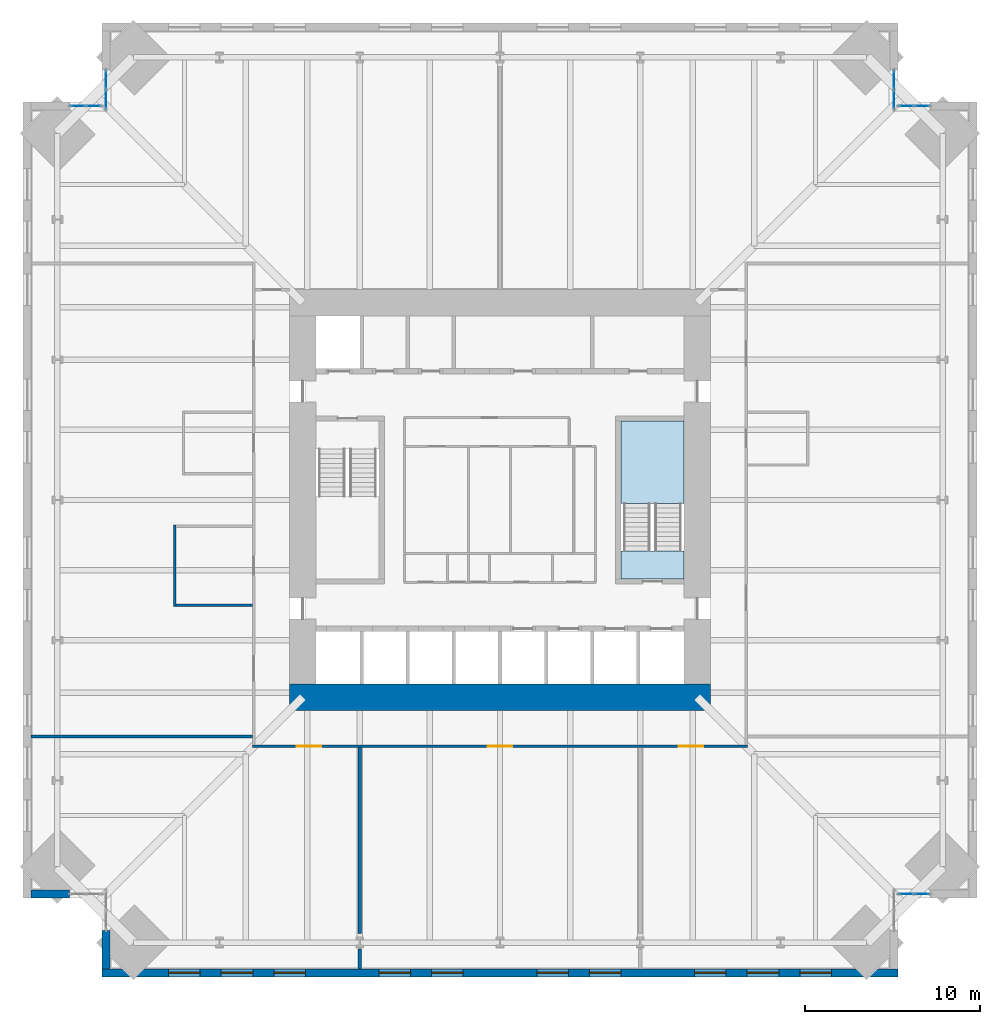
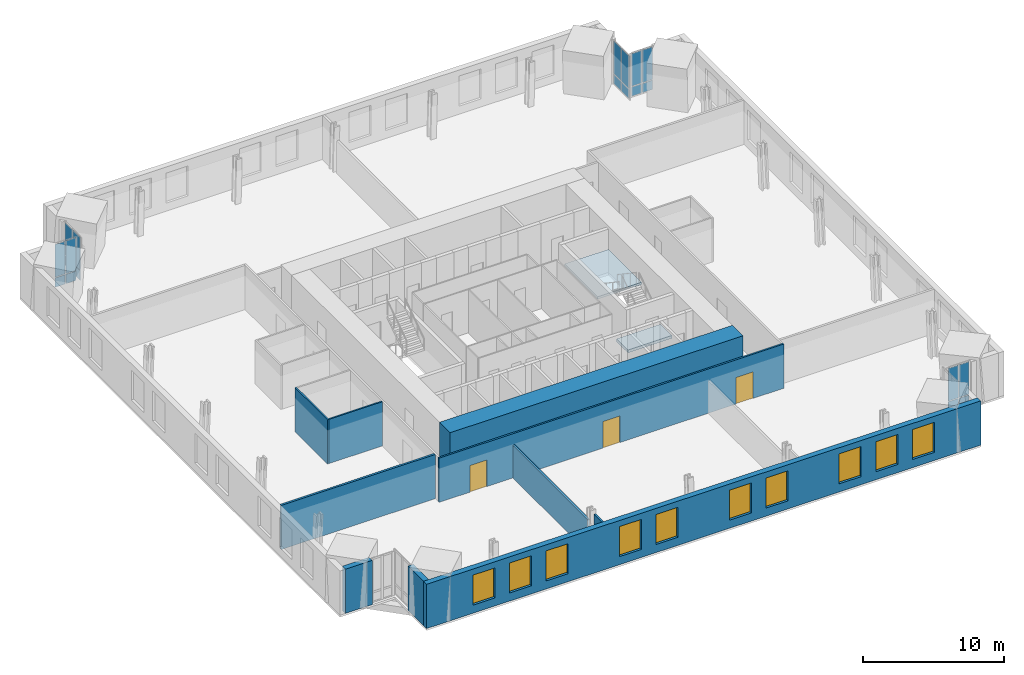
# One storey, part 11 of 16: 20 plates, 10 walls, 10 windows, 3 doors, 2 slabs, 13 openings, 6 elements without a shape of their own.
"""IFC4 building model written with IfcOpenShell, lengths in metres."""

from ifc_helpers import new_model, si_unit, direction, frame, frame_2d, origin, origin_2d, place, context, subcontext, project, spatial, polyline, rectangle, outline, extrude, material, layer, layer_set, type_object, element, fill, aggregate, save


model = new_model("IFC4")

# Units and contexts
model_context = context("Model", 3, precision=1e-05, world=origin(), true_north=direction((0.0, 1.0)))
body_context = subcontext(model_context, "Body", "Model", "MODEL_VIEW")
ifc_project = project(units=[si_unit("LENGTHUNIT", "METRE"), si_unit("AREAUNIT", "SQUARE_METRE"), si_unit("VOLUMEUNIT", "CUBIC_METRE"), si_unit("PLANEANGLEUNIT", "RADIAN"), si_unit("MASSUNIT", "GRAM", prefix="KILO")], contexts=[model_context])

# Site, building, storey
site_placement = place(None, origin())
site = spatial("IfcSite", under=ifc_project, at=site_placement, CompositionType="ELEMENT")
building_placement = place(site_placement, origin())
building = spatial("IfcBuilding", under=site, at=building_placement, Name="Peilmerk Tower", CompositionType="ELEMENT")
storey_placement = place(building_placement, frame((0.0, 0.0, 139.800048828125)))
storey = spatial("IfcBuildingStorey", under=building, at=storey_placement, Name="L28", CompositionType="ELEMENT", Elevation=139.800048828125)

# Curtain wall, plates
ifc_material_1 = material(Name="Aluminium stick curtain wall", Category="aluminium")
curtain_wall_type = type_object("IfcCurtainWallType", Name="CW3 stick curtain wall, 2250 module", PredefinedType="NOTDEFINED", material=ifc_material_1)
curtain_wall_1_placement = place(storey_placement, origin())
curtain_wall_1 = element("IfcCurtainWall", 1, at=curtain_wall_1_placement, inside=storey, type_object=curtain_wall_type, Name="Curtain wall CW3 NEA L28", PredefinedType="NOTDEFINED")
ifc_material_2 = material(Name="Clear insulated glazing unit", Category="glass")
ifc_layer_1 = layer(ifc_material_2, 0.028076171875)
ifc_layer_set_1 = layer_set([ifc_layer_1], Name="Clear insulated glazing unit")
plate_type = type_object("IfcPlateType", Name="CW3-P 28 glazed panel", PredefinedType="CURTAIN_PANEL", material=ifc_layer_set_1)
plate_1_placement = place(storey_placement, frame((22.47509765625, 22.83837890625, 0.06494140625), z_axis=(0.0, 0.0, 1.0), x_axis=(0.0, 1.0, 0.0)))
plate_1 = element("IfcPlate", 2, at=plate_1_placement, type_object=plate_type, Name="CW3 panel 1.1", PredefinedType="CURTAIN_PANEL", context=body_context, shape_type="SweptSolid", body=[
    extrude(rectangle(XDim=1.046875, YDim=0.028076171875, at=origin_2d()), origin(), (0.0, 0.0, 1.0), 0.802490234375),
])
plate_2_placement = place(storey_placement, frame((22.47509765625, 22.83837890625, 0.932373046875), z_axis=(0.0, 0.0, 1.0), x_axis=(0.0, 1.0, 0.0)))
plate_2 = element("IfcPlate", 3, at=plate_2_placement, type_object=plate_type, Name="CW3 panel 1.2", PredefinedType="CURTAIN_PANEL", context=body_context, shape_type="SweptSolid", body=[
    extrude(rectangle(XDim=1.046875, YDim=0.028076171875, at=origin_2d()), origin(), (0.0, 0.0, 1.0), 2.83251953125),
])
plate_3_placement = place(storey_placement, frame((22.47509765625, 23.9501953125, 0.06494140625), z_axis=(0.0, 0.0, 1.0), x_axis=(0.0, 1.0, 0.0)))
plate_3 = element("IfcPlate", 4, at=plate_3_placement, type_object=plate_type, Name="CW3 panel 2.1", PredefinedType="CURTAIN_PANEL", context=body_context, shape_type="SweptSolid", body=[
    extrude(rectangle(XDim=1.046875, YDim=0.028076171875, at=origin_2d()), origin(), (0.0, 0.0, 1.0), 0.802490234375),
])
plate_4_placement = place(storey_placement, frame((22.47509765625, 23.9501953125, 0.932373046875), z_axis=(0.0, 0.0, 1.0), x_axis=(0.0, 1.0, 0.0)))
plate_4 = element("IfcPlate", 5, at=plate_4_placement, type_object=plate_type, Name="CW3 panel 2.2", PredefinedType="CURTAIN_PANEL", context=body_context, shape_type="SweptSolid", body=[
    extrude(rectangle(XDim=1.046875, YDim=0.028076171875, at=origin_2d()), origin(), (0.0, 0.0, 1.0), 2.83251953125),
])
aggregate(curtain_wall_1, [plate_1, plate_2, plate_3, plate_4])

curtain_wall_2_placement = place(storey_placement, origin())
curtain_wall_2 = element("IfcCurtainWall", 6, at=curtain_wall_2_placement, inside=storey, type_object=curtain_wall_type, Name="Curtain wall CW3 NEB L28", PredefinedType="NOTDEFINED")
plate_5_placement = place(storey_placement, frame((23.176025390625, 22.47509765625, 0.06494140625), z_axis=(0.0, 0.0, 1.0), x_axis=(1.0, 0.0, 0.0)))
plate_5 = element("IfcPlate", 7, at=plate_5_placement, type_object=plate_type, Name="CW3 panel 1.1", PredefinedType="CURTAIN_PANEL", context=body_context, shape_type="SweptSolid", body=[
    extrude(rectangle(XDim=0.82177734375, YDim=0.028076171875, at=origin_2d()), origin(), (0.0, 0.0, 1.0), 0.802490234375),
])
plate_6_placement = place(storey_placement, frame((23.176025390625, 22.47509765625, 0.932373046875), z_axis=(0.0, 0.0, 1.0), x_axis=(1.0, 0.0, 0.0)))
plate_6 = element("IfcPlate", 8, at=plate_6_placement, type_object=plate_type, Name="CW3 panel 1.2", PredefinedType="CURTAIN_PANEL", context=body_context, shape_type="SweptSolid", body=[
    extrude(rectangle(XDim=0.82177734375, YDim=0.028076171875, at=origin_2d()), origin(), (0.0, 0.0, 1.0), 2.83251953125),
])
plate_7_placement = place(storey_placement, frame((24.062744140625, 22.47509765625, 0.06494140625), z_axis=(0.0, 0.0, 1.0), x_axis=(1.0, 0.0, 0.0)))
plate_7 = element("IfcPlate", 9, at=plate_7_placement, type_object=plate_type, Name="CW3 panel 2.1", PredefinedType="CURTAIN_PANEL", context=body_context, shape_type="SweptSolid", body=[
    extrude(rectangle(XDim=0.82177734375, YDim=0.028076171875, at=origin_2d()), origin(), (0.0, 0.0, 1.0), 0.802490234375),
])
plate_8_placement = place(storey_placement, frame((24.062744140625, 22.47509765625, 0.932373046875), z_axis=(0.0, 0.0, 1.0), x_axis=(1.0, 0.0, 0.0)))
plate_8 = element("IfcPlate", 10, at=plate_8_placement, type_object=plate_type, Name="CW3 panel 2.2", PredefinedType="CURTAIN_PANEL", context=body_context, shape_type="SweptSolid", body=[
    extrude(rectangle(XDim=0.82177734375, YDim=0.028076171875, at=origin_2d()), origin(), (0.0, 0.0, 1.0), 2.83251953125),
])
aggregate(curtain_wall_2, [plate_5, plate_6, plate_7, plate_8])

curtain_wall_3_placement = place(storey_placement, origin())
curtain_wall_3 = element("IfcCurtainWall", 11, at=curtain_wall_3_placement, inside=storey, type_object=curtain_wall_type, Name="Curtain wall CW3 SEB L28", PredefinedType="NOTDEFINED")
plate_9_placement = place(storey_placement, frame((23.176025390625, -22.47509765625, 0.06494140625), z_axis=(0.0, 0.0, 1.0), x_axis=(1.0, 0.0, 0.0)))
plate_9 = element("IfcPlate", 12, at=plate_9_placement, type_object=plate_type, Name="CW3 panel 1.1", PredefinedType="CURTAIN_PANEL", context=body_context, shape_type="SweptSolid", body=[
    extrude(rectangle(XDim=0.82177734375, YDim=0.028076171875, at=origin_2d()), origin(), (0.0, 0.0, 1.0), 0.802490234375),
])
plate_10_placement = place(storey_placement, frame((23.176025390625, -22.47509765625, 0.932373046875), z_axis=(0.0, 0.0, 1.0), x_axis=(1.0, 0.0, 0.0)))
plate_10 = element("IfcPlate", 13, at=plate_10_placement, type_object=plate_type, Name="CW3 panel 1.2", PredefinedType="CURTAIN_PANEL", context=body_context, shape_type="SweptSolid", body=[
    extrude(rectangle(XDim=0.82177734375, YDim=0.028076171875, at=origin_2d()), origin(), (0.0, 0.0, 1.0), 2.83251953125),
])
plate_11_placement = place(storey_placement, frame((24.062744140625, -22.47509765625, 0.06494140625), z_axis=(0.0, 0.0, 1.0), x_axis=(1.0, 0.0, 0.0)))
plate_11 = element("IfcPlate", 14, at=plate_11_placement, type_object=plate_type, Name="CW3 panel 2.1", PredefinedType="CURTAIN_PANEL", context=body_context, shape_type="SweptSolid", body=[
    extrude(rectangle(XDim=0.82177734375, YDim=0.028076171875, at=origin_2d()), origin(), (0.0, 0.0, 1.0), 0.802490234375),
])
plate_12_placement = place(storey_placement, frame((24.062744140625, -22.47509765625, 0.932373046875), z_axis=(0.0, 0.0, 1.0), x_axis=(1.0, 0.0, 0.0)))
plate_12 = element("IfcPlate", 15, at=plate_12_placement, type_object=plate_type, Name="CW3 panel 2.2", PredefinedType="CURTAIN_PANEL", context=body_context, shape_type="SweptSolid", body=[
    extrude(rectangle(XDim=0.82177734375, YDim=0.028076171875, at=origin_2d()), origin(), (0.0, 0.0, 1.0), 2.83251953125),
])
aggregate(curtain_wall_3, [plate_9, plate_10, plate_11, plate_12])

curtain_wall_4_placement = place(storey_placement, origin())
curtain_wall_4 = element("IfcCurtainWall", 16, at=curtain_wall_4_placement, inside=storey, type_object=curtain_wall_type, Name="Curtain wall CW3 NWA L28", PredefinedType="NOTDEFINED")
plate_13_placement = place(storey_placement, frame((-22.47509765625, 22.83837890625, 0.06494140625), z_axis=(0.0, 0.0, 1.0), x_axis=(0.0, 1.0, 0.0)))
plate_13 = element("IfcPlate", 17, at=plate_13_placement, type_object=plate_type, Name="CW3 panel 1.1", PredefinedType="CURTAIN_PANEL", context=body_context, shape_type="SweptSolid", body=[
    extrude(rectangle(XDim=1.046875, YDim=0.028076171875, at=origin_2d()), origin(), (0.0, 0.0, 1.0), 0.802490234375),
])
plate_14_placement = place(storey_placement, frame((-22.47509765625, 22.83837890625, 0.932373046875), z_axis=(0.0, 0.0, 1.0), x_axis=(0.0, 1.0, 0.0)))
plate_14 = element("IfcPlate", 18, at=plate_14_placement, type_object=plate_type, Name="CW3 panel 1.2", PredefinedType="CURTAIN_PANEL", context=body_context, shape_type="SweptSolid", body=[
    extrude(rectangle(XDim=1.046875, YDim=0.028076171875, at=origin_2d()), origin(), (0.0, 0.0, 1.0), 2.83251953125),
])
plate_15_placement = place(storey_placement, frame((-22.47509765625, 23.9501953125, 0.06494140625), z_axis=(0.0, 0.0, 1.0), x_axis=(0.0, 1.0, 0.0)))
plate_15 = element("IfcPlate", 19, at=plate_15_placement, type_object=plate_type, Name="CW3 panel 2.1", PredefinedType="CURTAIN_PANEL", context=body_context, shape_type="SweptSolid", body=[
    extrude(rectangle(XDim=1.046875, YDim=0.028076171875, at=origin_2d()), origin(), (0.0, 0.0, 1.0), 0.802490234375),
])
plate_16_placement = place(storey_placement, frame((-22.47509765625, 23.9501953125, 0.932373046875), z_axis=(0.0, 0.0, 1.0), x_axis=(0.0, 1.0, 0.0)))
plate_16 = element("IfcPlate", 20, at=plate_16_placement, type_object=plate_type, Name="CW3 panel 2.2", PredefinedType="CURTAIN_PANEL", context=body_context, shape_type="SweptSolid", body=[
    extrude(rectangle(XDim=1.046875, YDim=0.028076171875, at=origin_2d()), origin(), (0.0, 0.0, 1.0), 2.83251953125),
])
aggregate(curtain_wall_4, [plate_13, plate_14, plate_15, plate_16])

curtain_wall_5_placement = place(storey_placement, origin())
curtain_wall_5 = element("IfcCurtainWall", 21, at=curtain_wall_5_placement, inside=storey, type_object=curtain_wall_type, Name="Curtain wall CW3 NWB L28", PredefinedType="NOTDEFINED")
plate_17_placement = place(storey_placement, frame((-23.176025390625, 22.47509765625, 0.06494140625), z_axis=(0.0, 0.0, 1.0), x_axis=(-1.0, 0.0, 0.0)))
plate_17 = element("IfcPlate", 22, at=plate_17_placement, type_object=plate_type, Name="CW3 panel 1.1", PredefinedType="CURTAIN_PANEL", context=body_context, shape_type="SweptSolid", body=[
    extrude(rectangle(XDim=0.82177734375, YDim=0.028076171875, at=origin_2d()), origin(), (0.0, 0.0, 1.0), 0.802490234375),
])
plate_18_placement = place(storey_placement, frame((-23.176025390625, 22.47509765625, 0.932373046875), z_axis=(0.0, 0.0, 1.0), x_axis=(-1.0, 0.0, 0.0)))
plate_18 = element("IfcPlate", 23, at=plate_18_placement, type_object=plate_type, Name="CW3 panel 1.2", PredefinedType="CURTAIN_PANEL", context=body_context, shape_type="SweptSolid", body=[
    extrude(rectangle(XDim=0.82177734375, YDim=0.028076171875, at=origin_2d()), origin(), (0.0, 0.0, 1.0), 2.83251953125),
])
plate_19_placement = place(storey_placement, frame((-24.062744140625, 22.47509765625, 0.06494140625), z_axis=(0.0, 0.0, 1.0), x_axis=(-1.0, 0.0, 0.0)))
plate_19 = element("IfcPlate", 24, at=plate_19_placement, type_object=plate_type, Name="CW3 panel 2.1", PredefinedType="CURTAIN_PANEL", context=body_context, shape_type="SweptSolid", body=[
    extrude(rectangle(XDim=0.82177734375, YDim=0.028076171875, at=origin_2d()), origin(), (0.0, 0.0, 1.0), 0.802490234375),
])
plate_20_placement = place(storey_placement, frame((-24.062744140625, 22.47509765625, 0.932373046875), z_axis=(0.0, 0.0, 1.0), x_axis=(-1.0, 0.0, 0.0)))
plate_20 = element("IfcPlate", 25, at=plate_20_placement, type_object=plate_type, Name="CW3 panel 2.2", PredefinedType="CURTAIN_PANEL", context=body_context, shape_type="SweptSolid", body=[
    extrude(rectangle(XDim=0.82177734375, YDim=0.028076171875, at=origin_2d()), origin(), (0.0, 0.0, 1.0), 2.83251953125),
])
aggregate(curtain_wall_5, [plate_17, plate_18, plate_19, plate_20])

# Stair, slabs
ifc_material_3 = material(Name="Precast concrete C45/55", Category="concrete")
stair_type = type_object("IfcStairType", Name="ST2 22 risers of 181.8", PredefinedType="HALF_TURN_STAIR", material=ifc_material_3)
stair_placement = place(storey_placement, origin())
stair = element("IfcStair", 26, at=stair_placement, inside=storey, type_object=stair_type, Name="Stair 2 L28 to L29", PredefinedType="HALF_TURN_STAIR")
ifc_material_4 = material(Name="Concrete C35/45", Category="concrete")
ifc_layer_2 = layer(ifc_material_4, 0.199951171875)
ifc_layer_set_2 = layer_set([ifc_layer_2], Name="Concrete C35/45")
slab_type_1 = type_object("IfcSlabType", Name="SL1 200 concrete stair landing", PredefinedType="LANDING", material=ifc_layer_set_2)
slab_1_placement = place(storey_placement, frame((0.0, 0.0, 1.800048828125)))
slab_1 = element("IfcSlab", 27, at=slab_1_placement, type_object=slab_type_1, Name="ST2 landing 1", PredefinedType="LANDING", context=body_context, shape_type="SweptSolid", body=[
    extrude(outline(polyline([(6.89990234375, -0.199951171875), (10.5, -0.199951171875), (10.5, 4.5), (6.89990234375, 4.5), (6.89990234375, -0.199951171875)])), origin(), (0.0, 0.0, 1.0), 0.199951171875),
])
ifc_layer_3 = layer(ifc_material_4, 0.25)
ifc_layer_set_3 = layer_set([ifc_layer_3], Name="Concrete C35/45")
slab_type_2 = type_object("IfcSlabType", Name="SL2 250 concrete floor landing", PredefinedType="LANDING", material=ifc_layer_set_3)
slab_2_placement = place(storey_placement, frame((0.0, 0.0, -0.25)))
slab_2 = element("IfcSlab", 28, at=slab_2_placement, type_object=slab_type_2, Name="ST2 floor landing", PredefinedType="LANDING", context=body_context, shape_type="SweptSolid", body=[
    extrude(outline(polyline([(6.89990234375, -4.5), (10.5, -4.5), (10.5, -2.89990234375), (6.89990234375, -2.89990234375), (6.89990234375, -4.5)])), origin(), (0.0, 0.0, 1.0), 0.25),
])
aggregate(stair, [slab_1, slab_2])

# Wall, openings, windows
ifc_material_5 = material(Name="Precast concrete C45/55, board-marked finish", Category="concrete")
ifc_layer_4 = layer(ifc_material_5, 0.449951171875)
ifc_layer_set_4 = layer_set([ifc_layer_4], Name="Precast concrete C45/55, board-marked finish")
wall_type_1 = type_object("IfcWallType", Name="EW1 450 precast concrete facade wall, board-marked", PredefinedType="SOLIDWALL", material=ifc_layer_set_4)
wall_1_placement = place(storey_placement, frame((-22.699951171875, -26.97509765625, 0.0), z_axis=(0.0, 0.0, 1.0), x_axis=(1.0, 0.0, 0.0)))
wall_1 = element("IfcWall", 29, at=wall_1_placement, inside=storey, type_object=wall_type_1, Name="Facade wall S L28", PredefinedType="SOLIDWALL", context=body_context, shape_type="SweptSolid", body=[
    extrude(rectangle(XDim=45.39990234375, YDim=0.449951171875, at=frame_2d((22.699951171875, 0.0))), origin(), (0.0, 0.0, 1.0), 3.829833984375),
])
opening_1_placement = place(wall_1_placement, frame((3.800048828125, 0.0, 0.699951171875)))
opening_1 = element("IfcOpeningElement", 30, at=opening_1_placement, cuts=wall_1, Name="Opening W1", PredefinedType="OPENING", context=body_context, shape_type="SweptSolid", body=[
    extrude(rectangle(XDim=1.800048828125, YDim=2.60009765625, at=frame_2d((0.89990234375, 1.300048828125))), frame((0.0, 0.23486328125, 0.0), z_axis=(0.0, -1.0, 0.0), x_axis=(1.0, 0.0, 0.0)), (0.0, 0.0, 1.0), 0.469970703125),
])
opening_2_placement = place(wall_1_placement, frame((6.800048828125, 0.0, 0.699951171875)))
opening_2 = element("IfcOpeningElement", 31, at=opening_2_placement, cuts=wall_1, Name="Opening W1", PredefinedType="OPENING", context=body_context, shape_type="SweptSolid", body=[
    extrude(rectangle(XDim=1.800048828125, YDim=2.60009765625, at=frame_2d((0.89990234375, 1.300048828125))), frame((0.0, 0.23486328125, 0.0), z_axis=(0.0, -1.0, 0.0), x_axis=(1.0, 0.0, 0.0)), (0.0, 0.0, 1.0), 0.469970703125),
])
opening_3_placement = place(wall_1_placement, frame((9.800048828125, 0.0, 0.699951171875)))
opening_3 = element("IfcOpeningElement", 32, at=opening_3_placement, cuts=wall_1, Name="Opening W1", PredefinedType="OPENING", context=body_context, shape_type="SweptSolid", body=[
    extrude(rectangle(XDim=1.800048828125, YDim=2.60009765625, at=frame_2d((0.89990234375, 1.300048828125))), frame((0.0, 0.23486328125, 0.0), z_axis=(0.0, -1.0, 0.0), x_axis=(1.0, 0.0, 0.0)), (0.0, 0.0, 1.0), 0.469970703125),
])
opening_4_placement = place(wall_1_placement, frame((15.800048828125, 0.0, 0.699951171875)))
opening_4 = element("IfcOpeningElement", 33, at=opening_4_placement, cuts=wall_1, Name="Opening W1", PredefinedType="OPENING", context=body_context, shape_type="SweptSolid", body=[
    extrude(rectangle(XDim=1.800048828125, YDim=2.60009765625, at=frame_2d((0.89990234375, 1.300048828125))), frame((0.0, 0.23486328125, 0.0), z_axis=(0.0, -1.0, 0.0), x_axis=(1.0, 0.0, 0.0)), (0.0, 0.0, 1.0), 0.469970703125),
])
opening_5_placement = place(wall_1_placement, frame((18.800048828125, 0.0, 0.699951171875)))
opening_5 = element("IfcOpeningElement", 34, at=opening_5_placement, cuts=wall_1, Name="Opening W1", PredefinedType="OPENING", context=body_context, shape_type="SweptSolid", body=[
    extrude(rectangle(XDim=1.800048828125, YDim=2.60009765625, at=frame_2d((0.89990234375, 1.300048828125))), frame((0.0, 0.23486328125, 0.0), z_axis=(0.0, -1.0, 0.0), x_axis=(1.0, 0.0, 0.0)), (0.0, 0.0, 1.0), 0.469970703125),
])
opening_6_placement = place(wall_1_placement, frame((24.800048828125, 0.0, 0.699951171875)))
opening_6 = element("IfcOpeningElement", 35, at=opening_6_placement, cuts=wall_1, Name="Opening W1", PredefinedType="OPENING", context=body_context, shape_type="SweptSolid", body=[
    extrude(rectangle(XDim=1.800048828125, YDim=2.60009765625, at=frame_2d((0.89990234375, 1.300048828125))), frame((0.0, 0.23486328125, 0.0), z_axis=(0.0, -1.0, 0.0), x_axis=(1.0, 0.0, 0.0)), (0.0, 0.0, 1.0), 0.469970703125),
])
opening_7_placement = place(wall_1_placement, frame((27.800048828125, 0.0, 0.699951171875)))
opening_7 = element("IfcOpeningElement", 36, at=opening_7_placement, cuts=wall_1, Name="Opening W1", PredefinedType="OPENING", context=body_context, shape_type="SweptSolid", body=[
    extrude(rectangle(XDim=1.800048828125, YDim=2.60009765625, at=frame_2d((0.89990234375, 1.300048828125))), frame((0.0, 0.23486328125, 0.0), z_axis=(0.0, -1.0, 0.0), x_axis=(1.0, 0.0, 0.0)), (0.0, 0.0, 1.0), 0.469970703125),
])
opening_8_placement = place(wall_1_placement, frame((33.800048828125, 0.0, 0.699951171875)))
opening_8 = element("IfcOpeningElement", 37, at=opening_8_placement, cuts=wall_1, Name="Opening W1", PredefinedType="OPENING", context=body_context, shape_type="SweptSolid", body=[
    extrude(rectangle(XDim=1.800048828125, YDim=2.60009765625, at=frame_2d((0.89990234375, 1.300048828125))), frame((0.0, 0.23486328125, 0.0), z_axis=(0.0, -1.0, 0.0), x_axis=(1.0, 0.0, 0.0)), (0.0, 0.0, 1.0), 0.469970703125),
])
opening_9_placement = place(wall_1_placement, frame((36.800048828125, 0.0, 0.699951171875)))
opening_9 = element("IfcOpeningElement", 38, at=opening_9_placement, cuts=wall_1, Name="Opening W1", PredefinedType="OPENING", context=body_context, shape_type="SweptSolid", body=[
    extrude(rectangle(XDim=1.800048828125, YDim=2.60009765625, at=frame_2d((0.89990234375, 1.300048828125))), frame((0.0, 0.23486328125, 0.0), z_axis=(0.0, -1.0, 0.0), x_axis=(1.0, 0.0, 0.0)), (0.0, 0.0, 1.0), 0.469970703125),
])
opening_10_placement = place(wall_1_placement, frame((39.800048828125, 0.0, 0.699951171875)))
opening_10 = element("IfcOpeningElement", 39, at=opening_10_placement, cuts=wall_1, Name="Opening W1", PredefinedType="OPENING", context=body_context, shape_type="SweptSolid", body=[
    extrude(rectangle(XDim=1.800048828125, YDim=2.60009765625, at=frame_2d((0.89990234375, 1.300048828125))), frame((0.0, 0.23486328125, 0.0), z_axis=(0.0, -1.0, 0.0), x_axis=(1.0, 0.0, 0.0)), (0.0, 0.0, 1.0), 0.469970703125),
])
ifc_material_6 = material(Name="Aluminium frame, clear double glazing", Category="aluminium")
window_type = type_object("IfcWindowType", Name="W1 1800x2600 office window", PartitioningType="SINGLE_PANEL", PredefinedType="WINDOW", material=ifc_material_6)
window_1_placement = place(opening_1_placement, origin())
window_1 = element("IfcWindow", 40, at=window_1_placement, inside=storey, type_object=window_type, Name="Window W1 L28", OverallHeight=2.60009765625, OverallWidth=1.800048828125, PartitioningType="SINGLE_PANEL", PredefinedType="WINDOW", context=body_context, shape_type="SweptSolid", body=[
    extrude(rectangle(XDim=1.800048828125, YDim=2.60009765625, at=frame_2d((0.89990234375, 1.300048828125))), frame((0.0, 0.030029296875, 0.0), z_axis=(0.0, -1.0, 0.0), x_axis=(1.0, 0.0, 0.0)), (0.0, 0.0, 1.0), 0.06005859375),
])
fill(opening_1, window_1)
window_2_placement = place(opening_2_placement, origin())
window_2 = element("IfcWindow", 41, at=window_2_placement, inside=storey, type_object=window_type, Name="Window W1 L28", OverallHeight=2.60009765625, OverallWidth=1.800048828125, PartitioningType="SINGLE_PANEL", PredefinedType="WINDOW", context=body_context, shape_type="SweptSolid", body=[
    extrude(rectangle(XDim=1.800048828125, YDim=2.60009765625, at=frame_2d((0.89990234375, 1.300048828125))), frame((0.0, 0.030029296875, 0.0), z_axis=(0.0, -1.0, 0.0), x_axis=(1.0, 0.0, 0.0)), (0.0, 0.0, 1.0), 0.06005859375),
])
fill(opening_2, window_2)
window_3_placement = place(opening_3_placement, origin())
window_3 = element("IfcWindow", 42, at=window_3_placement, inside=storey, type_object=window_type, Name="Window W1 L28", OverallHeight=2.60009765625, OverallWidth=1.800048828125, PartitioningType="SINGLE_PANEL", PredefinedType="WINDOW", context=body_context, shape_type="SweptSolid", body=[
    extrude(rectangle(XDim=1.800048828125, YDim=2.60009765625, at=frame_2d((0.89990234375, 1.300048828125))), frame((0.0, 0.030029296875, 0.0), z_axis=(0.0, -1.0, 0.0), x_axis=(1.0, 0.0, 0.0)), (0.0, 0.0, 1.0), 0.06005859375),
])
fill(opening_3, window_3)
window_4_placement = place(opening_4_placement, origin())
window_4 = element("IfcWindow", 43, at=window_4_placement, inside=storey, type_object=window_type, Name="Window W1 L28", OverallHeight=2.60009765625, OverallWidth=1.800048828125, PartitioningType="SINGLE_PANEL", PredefinedType="WINDOW", context=body_context, shape_type="SweptSolid", body=[
    extrude(rectangle(XDim=1.800048828125, YDim=2.60009765625, at=frame_2d((0.89990234375, 1.300048828125))), frame((0.0, 0.030029296875, 0.0), z_axis=(0.0, -1.0, 0.0), x_axis=(1.0, 0.0, 0.0)), (0.0, 0.0, 1.0), 0.06005859375),
])
fill(opening_4, window_4)
window_5_placement = place(opening_5_placement, origin())
window_5 = element("IfcWindow", 44, at=window_5_placement, inside=storey, type_object=window_type, Name="Window W1 L28", OverallHeight=2.60009765625, OverallWidth=1.800048828125, PartitioningType="SINGLE_PANEL", PredefinedType="WINDOW", context=body_context, shape_type="SweptSolid", body=[
    extrude(rectangle(XDim=1.800048828125, YDim=2.60009765625, at=frame_2d((0.89990234375, 1.300048828125))), frame((0.0, 0.030029296875, 0.0), z_axis=(0.0, -1.0, 0.0), x_axis=(1.0, 0.0, 0.0)), (0.0, 0.0, 1.0), 0.06005859375),
])
fill(opening_5, window_5)
window_6_placement = place(opening_6_placement, origin())
window_6 = element("IfcWindow", 45, at=window_6_placement, inside=storey, type_object=window_type, Name="Window W1 L28", OverallHeight=2.60009765625, OverallWidth=1.800048828125, PartitioningType="SINGLE_PANEL", PredefinedType="WINDOW", context=body_context, shape_type="SweptSolid", body=[
    extrude(rectangle(XDim=1.800048828125, YDim=2.60009765625, at=frame_2d((0.89990234375, 1.300048828125))), frame((0.0, 0.030029296875, 0.0), z_axis=(0.0, -1.0, 0.0), x_axis=(1.0, 0.0, 0.0)), (0.0, 0.0, 1.0), 0.06005859375),
])
fill(opening_6, window_6)
window_7_placement = place(opening_7_placement, origin())
window_7 = element("IfcWindow", 46, at=window_7_placement, inside=storey, type_object=window_type, Name="Window W1 L28", OverallHeight=2.60009765625, OverallWidth=1.800048828125, PartitioningType="SINGLE_PANEL", PredefinedType="WINDOW", context=body_context, shape_type="SweptSolid", body=[
    extrude(rectangle(XDim=1.800048828125, YDim=2.60009765625, at=frame_2d((0.89990234375, 1.300048828125))), frame((0.0, 0.030029296875, 0.0), z_axis=(0.0, -1.0, 0.0), x_axis=(1.0, 0.0, 0.0)), (0.0, 0.0, 1.0), 0.06005859375),
])
fill(opening_7, window_7)
window_8_placement = place(opening_8_placement, origin())
window_8 = element("IfcWindow", 47, at=window_8_placement, inside=storey, type_object=window_type, Name="Window W1 L28", OverallHeight=2.60009765625, OverallWidth=1.800048828125, PartitioningType="SINGLE_PANEL", PredefinedType="WINDOW", context=body_context, shape_type="SweptSolid", body=[
    extrude(rectangle(XDim=1.800048828125, YDim=2.60009765625, at=frame_2d((0.89990234375, 1.300048828125))), frame((0.0, 0.030029296875, 0.0), z_axis=(0.0, -1.0, 0.0), x_axis=(1.0, 0.0, 0.0)), (0.0, 0.0, 1.0), 0.06005859375),
])
fill(opening_8, window_8)
window_9_placement = place(opening_9_placement, origin())
window_9 = element("IfcWindow", 48, at=window_9_placement, inside=storey, type_object=window_type, Name="Window W1 L28", OverallHeight=2.60009765625, OverallWidth=1.800048828125, PartitioningType="SINGLE_PANEL", PredefinedType="WINDOW", context=body_context, shape_type="SweptSolid", body=[
    extrude(rectangle(XDim=1.800048828125, YDim=2.60009765625, at=frame_2d((0.89990234375, 1.300048828125))), frame((0.0, 0.030029296875, 0.0), z_axis=(0.0, -1.0, 0.0), x_axis=(1.0, 0.0, 0.0)), (0.0, 0.0, 1.0), 0.06005859375),
])
fill(opening_9, window_9)
window_10_placement = place(opening_10_placement, origin())
window_10 = element("IfcWindow", 49, at=window_10_placement, inside=storey, type_object=window_type, Name="Window W1 L28", OverallHeight=2.60009765625, OverallWidth=1.800048828125, PartitioningType="SINGLE_PANEL", PredefinedType="WINDOW", context=body_context, shape_type="SweptSolid", body=[
    extrude(rectangle(XDim=1.800048828125, YDim=2.60009765625, at=frame_2d((0.89990234375, 1.300048828125))), frame((0.0, 0.030029296875, 0.0), z_axis=(0.0, -1.0, 0.0), x_axis=(1.0, 0.0, 0.0)), (0.0, 0.0, 1.0), 0.06005859375),
])
fill(opening_10, window_10)

# Walls
for number, where, z_axis, x_axis, name in (
    (50, (-22.47509765625, -24.5537109375, 0.0), (0.0, 0.0, 1.0), (0.0, -1.0, 0.0), "Facade wall SWA L28"),
    (51, (-24.5537109375, -22.47509765625, 0.0), (0.0, 0.0, 1.0), (-1.0, 0.0, 0.0), "Facade wall SWB L28"),
):
    element("IfcWall", number, at=place(storey_placement, frame(where, z_axis=z_axis, x_axis=x_axis)), inside=storey, type_object=wall_type_1, Name=name, PredefinedType="SOLIDWALL", context=body_context, shape_type="SweptSolid", body=[
        extrude(rectangle(XDim=2.1962890625, YDim=0.449951171875, at=frame_2d((1.09814453125, 0.0))), origin(), (0.0, 0.0, 1.0), 3.829833984375),
    ])

# Wall, openings, doors
ifc_material_7 = material(Name="Calcium silicate block", Category="masonry")
ifc_layer_5 = layer(ifc_material_7, 0.14990234375)
ifc_layer_set_5 = layer_set([ifc_layer_5], Name="Calcium silicate block")
wall_type_2 = type_object("IfcWallType", Name="IW1 150 corridor partition, EI 60", PredefinedType="PARTITIONING", material=ifc_layer_set_5)
wall_2_placement = place(storey_placement, frame((14.125, -14.050048828125, 0.0), z_axis=(0.0, 0.0, 1.0), x_axis=(-1.0, 0.0, 0.0)))
wall_2 = element("IfcWall", 52, at=wall_2_placement, inside=storey, type_object=wall_type_2, Name="Corridor wall S L28", PredefinedType="PARTITIONING", context=body_context, shape_type="SweptSolid", body=[
    extrude(rectangle(XDim=28.25, YDim=0.14990234375, at=frame_2d((14.125, 0.0))), origin(), (0.0, 0.0, 1.0), 3.829833984375),
])
opening_11_placement = place(wall_2_placement, frame((24.324951171875, 0.0, 0.0)))
opening_11 = element("IfcOpeningElement", 53, at=opening_11_placement, cuts=wall_2, Name="Opening D8", PredefinedType="OPENING", context=body_context, shape_type="SweptSolid", body=[
    extrude(rectangle(XDim=1.39990234375, YDim=2.300048828125, at=frame_2d((0.699951171875, 1.14990234375))), frame((0.0, 0.0849609375, 0.0), z_axis=(0.0, -1.0, 0.0), x_axis=(1.0, 0.0, 0.0)), (0.0, 0.0, 1.0), 0.169921875),
])
opening_12_placement = place(wall_2_placement, frame((13.425048828125, 0.0, 0.0)))
opening_12 = element("IfcOpeningElement", 54, at=opening_12_placement, cuts=wall_2, Name="Opening D8", PredefinedType="OPENING", context=body_context, shape_type="SweptSolid", body=[
    extrude(rectangle(XDim=1.39990234375, YDim=2.300048828125, at=frame_2d((0.699951171875, 1.14990234375))), frame((0.0, 0.0849609375, 0.0), z_axis=(0.0, -1.0, 0.0), x_axis=(1.0, 0.0, 0.0)), (0.0, 0.0, 1.0), 0.169921875),
])
opening_13_placement = place(wall_2_placement, frame((2.52490234375, 0.0, 0.0)))
opening_13 = element("IfcOpeningElement", 55, at=opening_13_placement, cuts=wall_2, Name="Opening D8", PredefinedType="OPENING", context=body_context, shape_type="SweptSolid", body=[
    extrude(rectangle(XDim=1.39990234375, YDim=2.300048828125, at=frame_2d((0.699951171875, 1.14990234375))), frame((0.0, 0.0849609375, 0.0), z_axis=(0.0, -1.0, 0.0), x_axis=(1.0, 0.0, 0.0)), (0.0, 0.0, 1.0), 0.169921875),
])
ifc_material_8 = material(Name="Timber door in steel frame", Category="steel")
door_type = type_object("IfcDoorType", Name="D8 1400x2300 leaf-and-a-half door, EI2 30", OperationType="DOUBLE_DOOR_SINGLE_SWING", PredefinedType="DOOR", material=ifc_material_8)
door_1_placement = place(opening_11_placement, origin())
door_1 = element("IfcDoor", 56, at=door_1_placement, inside=storey, type_object=door_type, Name="Door Tenant suite L28", OperationType="DOUBLE_DOOR_SINGLE_SWING", OverallHeight=2.300048828125, OverallWidth=1.39990234375, PredefinedType="DOOR", context=body_context, shape_type="SweptSolid", body=[
    extrude(rectangle(XDim=1.39990234375, YDim=2.300048828125, at=frame_2d((0.699951171875, 1.14990234375))), frame((0.0, 0.02490234375, 0.0), z_axis=(0.0, -1.0, 0.0), x_axis=(1.0, 0.0, 0.0)), (0.0, 0.0, 1.0), 0.050048828125),
])
fill(opening_11, door_1)
door_2_placement = place(opening_12_placement, origin())
door_2 = element("IfcDoor", 57, at=door_2_placement, inside=storey, type_object=door_type, Name="Door Client suite L28", OperationType="DOUBLE_DOOR_SINGLE_SWING", OverallHeight=2.300048828125, OverallWidth=1.39990234375, PredefinedType="DOOR", context=body_context, shape_type="SweptSolid", body=[
    extrude(rectangle(XDim=1.39990234375, YDim=2.300048828125, at=frame_2d((0.699951171875, 1.14990234375))), frame((0.0, 0.02490234375, 0.0), z_axis=(0.0, -1.0, 0.0), x_axis=(1.0, 0.0, 0.0)), (0.0, 0.0, 1.0), 0.050048828125),
])
fill(opening_12, door_2)
door_3_placement = place(opening_13_placement, origin())
door_3 = element("IfcDoor", 58, at=door_3_placement, inside=storey, type_object=door_type, Name="Door Tenant suite L28", OperationType="DOUBLE_DOOR_SINGLE_SWING", OverallHeight=2.300048828125, OverallWidth=1.39990234375, PredefinedType="DOOR", context=body_context, shape_type="SweptSolid", body=[
    extrude(rectangle(XDim=1.39990234375, YDim=2.300048828125, at=frame_2d((0.699951171875, 1.14990234375))), frame((0.0, 0.02490234375, 0.0), z_axis=(0.0, -1.0, 0.0), x_axis=(1.0, 0.0, 0.0)), (0.0, 0.0, 1.0), 0.050048828125),
])
fill(opening_13, door_3)

# Walls
ifc_material_9 = material(Name="Plasterboard on steel studs, double boarded with mineral wool", Category="steel")
ifc_layer_6 = layer(ifc_material_9, 0.125)
ifc_layer_set_6 = layer_set([ifc_layer_6], Name="Plasterboard on steel studs, double boarded with mineral wool")
wall_type_3 = type_object("IfcWallType", Name="IW7 125 acoustic partition, EI 30", PredefinedType="PARTITIONING", material=ifc_layer_set_6)
wall_3_placement = place(storey_placement, frame((-18.550048828125, -6.0625, 0.0), z_axis=(0.0, 0.0, 1.0), x_axis=(0.0, 1.0, 0.0)))
element("IfcWall", 59, at=wall_3_placement, inside=storey, type_object=wall_type_3, Name="Acoustic partition Meeting room L28", PredefinedType="PARTITIONING", context=body_context, shape_type="SweptSolid", body=[
    extrude(rectangle(XDim=4.625, YDim=0.125, at=frame_2d((2.3125, 0.0))), origin(), (0.0, 0.0, 1.0), 3.829833984375),
])
wall_4_placement = place(storey_placement, frame((-14.125, -6.0, 0.0), z_axis=(0.0, 0.0, 1.0), x_axis=(-1.0, 0.0, 0.0)))
element("IfcWall", 60, at=wall_4_placement, inside=storey, type_object=wall_type_3, Name="Acoustic partition Meeting room L28", PredefinedType="PARTITIONING", context=body_context, shape_type="SweptSolid", body=[
    extrude(rectangle(XDim=4.362548828125, YDim=0.125, at=frame_2d((2.18115234375, 0.0))), origin(), (0.0, 0.0, 1.0), 3.829833984375),
])
ifc_layer_7 = layer(ifc_material_7, 0.175048828125)
ifc_layer_set_7 = layer_set([ifc_layer_7], Name="Calcium silicate block")
wall_type_4 = type_object("IfcWallType", Name="IW8 175 tenant separating wall, EI 60", PredefinedType="PARTITIONING", material=ifc_layer_set_7)
wall_5_placement = place(storey_placement, frame((-14.125, -13.5, 0.0), z_axis=(0.0, 0.0, 1.0), x_axis=(-1.0, 0.0, 0.0)))
element("IfcWall", 61, at=wall_5_placement, inside=storey, type_object=wall_type_4, Name="Tenant separating wall SW L28", PredefinedType="PARTITIONING", context=body_context, shape_type="SweptSolid", body=[
    extrude(rectangle(XDim=12.625, YDim=0.175048828125, at=frame_2d((6.3125, 0.0))), origin(), (0.0, 0.0, 1.0), 3.829833984375),
])
wall_6_placement = place(storey_placement, frame((-8.0, -14.125, 0.0), z_axis=(0.0, 0.0, 1.0), x_axis=(0.0, -1.0, 0.0)))
element("IfcWall", 62, at=wall_6_placement, inside=storey, type_object=wall_type_4, Name="Tenant separating wall S1 L28", PredefinedType="PARTITIONING", context=body_context, shape_type="SweptSolid", body=[
    extrude(rectangle(XDim=10.609375, YDim=0.175048828125, at=frame_2d((5.3046875, 0.0))), origin(), (0.0, 0.0, 1.0), 2.829833984375),
])
wall_7_placement = place(storey_placement, frame((-8.0, -25.62353515625, 0.0), z_axis=(0.0, 0.0, 1.0), x_axis=(0.0, -1.0, 0.0)))
element("IfcWall", 63, at=wall_7_placement, inside=storey, type_object=wall_type_4, Name="Tenant separating wall S1b L28", PredefinedType="PARTITIONING", context=body_context, shape_type="SweptSolid", body=[
    extrude(rectangle(XDim=1.12646484375, YDim=0.175048828125, at=frame_2d((0.563232421875, 0.0))), origin(), (0.0, 0.0, 1.0), 3.829833984375),
])
ifc_material_10 = material(Name="Concrete C55/67", Category="concrete")
ifc_layer_8 = layer(ifc_material_10, 1.5)
ifc_layer_set_8 = layer_set([ifc_layer_8], Name="Concrete C55/67")
wall_type_5 = type_object("IfcWallType", Name="SW1 1500 core wall", PredefinedType="SHEAR", material=ifc_layer_set_8)
wall_8_placement = place(storey_placement, frame((12.0, -11.25, 0.0), z_axis=(0.0, 0.0, 1.0), x_axis=(-1.0, 0.0, 0.0)))
element("IfcWall", 64, at=wall_8_placement, inside=storey, type_object=wall_type_5, Name="Core wall S L28", PredefinedType="SHEAR", context=body_context, shape_type="SweptSolid", body=[
    extrude(rectangle(XDim=24.0, YDim=1.5, at=frame_2d((12.0, 0.0))), origin(), (0.0, 0.0, 1.0), 4.0),
])

save(model, "model.ifc")
